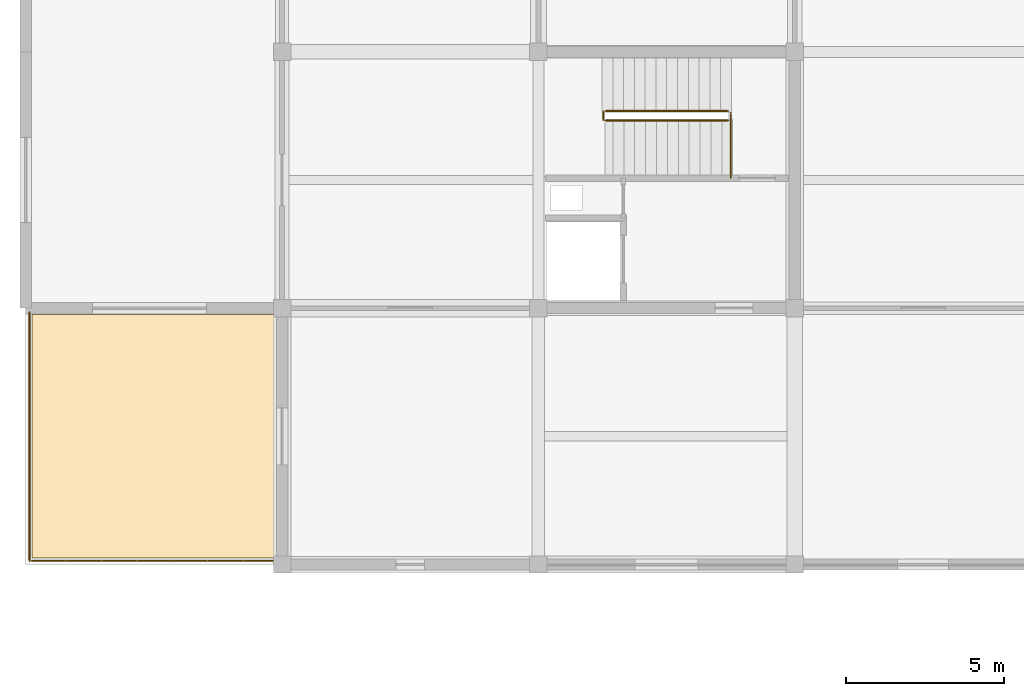
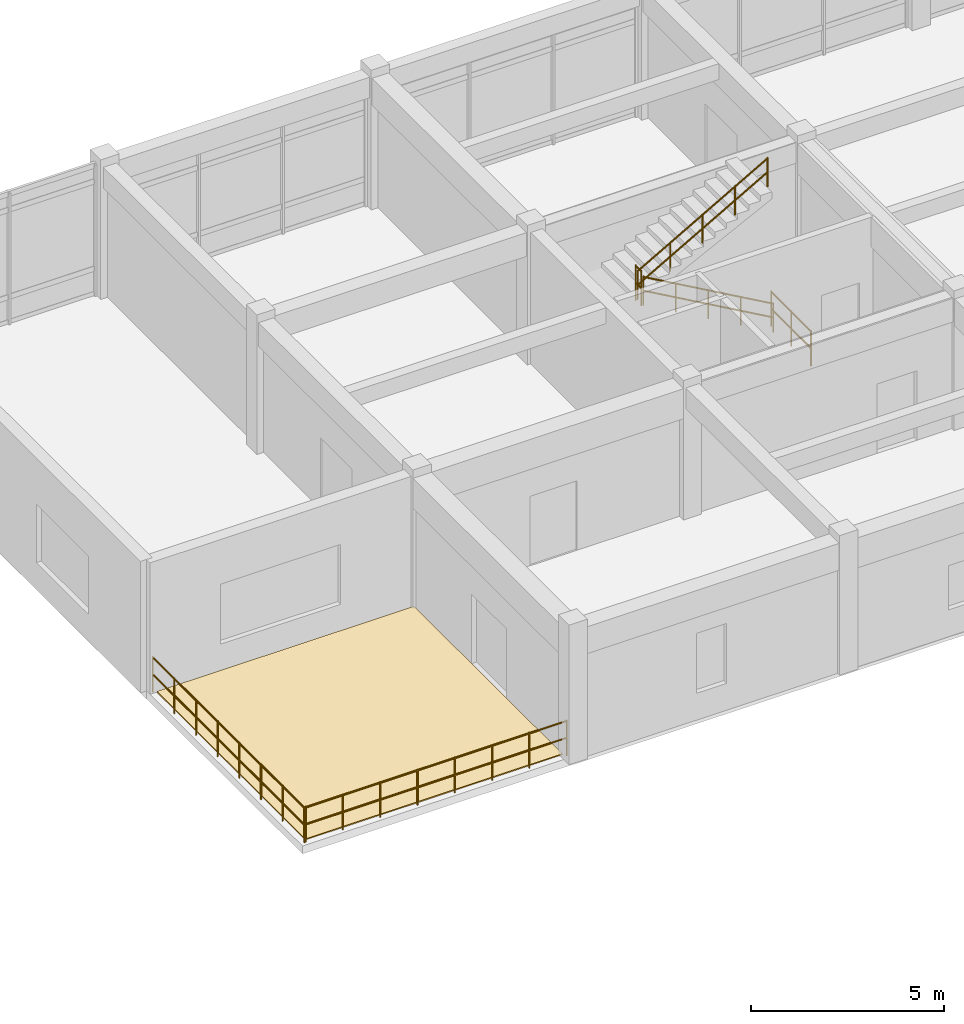
# One storey, part 38 of 42: 6 railings, 1 covering.
"""IFC4 building model written with IfcOpenShell, lengths in metres."""

from ifc_helpers import new_model, si_unit, direction, frame, origin, origin_2d, place, context, subcontext, project, spatial, polyline, circle, outline, extrude, material, layer, layer_set, type_object, element, save


model = new_model("IFC4")

# Units and contexts
model_context = context("Model", 3, precision=1e-05, world=origin(), true_north=direction((0.0, 1.0)))
body_context = subcontext(model_context, "Body", "Model", "MODEL_VIEW")
ifc_project = project(units=[si_unit("LENGTHUNIT", "METRE"), si_unit("AREAUNIT", "SQUARE_METRE"), si_unit("VOLUMEUNIT", "CUBIC_METRE"), si_unit("PLANEANGLEUNIT", "RADIAN"), si_unit("MASSUNIT", "GRAM", prefix="KILO")], contexts=[model_context])

# Site, building, storey
site_placement = place(None, origin())
site = spatial("IfcSite", under=ifc_project, at=site_placement, CompositionType="ELEMENT")
building_placement = place(site_placement, origin())
building = spatial("IfcBuilding", under=site, at=building_placement, Name="Vaudrelin Polytechnic", CompositionType="ELEMENT")
storey_placement = place(building_placement, frame((0.0, 0.0, 18.530029296875)))
storey = spatial("IfcBuildingStorey", under=building, at=storey_placement, Name="L04", CompositionType="ELEMENT", Elevation=18.530029296875)

# Railings
ifc_material_1 = material(Name="Stainless steel AISI 316L", Category="steel")
railing_type_1 = type_object("IfcRailingType", Name="ENV-GR-TER", PredefinedType="GUARDRAIL", material=ifc_material_1)
railing_1_placement = place(storey_placement, frame((0.1201171875, 97.320068359375, 0.0)))
element("IfcRailing", 1, at=railing_1_placement, inside=storey, type_object=railing_type_1, Name="Terrace guardrail GRD-T4-W", PredefinedType="GUARDRAIL", context=body_context, shape_type="SweptSolid", body=[
    extrude(circle(Radius=0.02392578125, at=origin_2d()), frame((0.0, 0.023193359375, 1.09619140625), z_axis=(0.0, 1.0, 0.0), x_axis=(-1.0, 0.0, 0.0)), (0.0, 0.0, 1.0), 7.813720703125),
    extrude(circle(Radius=0.02392578125, at=origin_2d()), frame((0.0, 0.023193359375, 0.56005859375), z_axis=(0.0, 1.0, 0.0), x_axis=(-1.0, 0.0, 0.0)), (0.0, 0.0, 1.0), 7.813720703125),
    extrude(circle(Radius=0.02099609375, at=origin_2d()), origin(), (0.0, 0.0, 1.0), 1.1201171875),
    extrude(circle(Radius=0.02099609375, at=origin_2d()), frame((0.0, 1.122802734375, 0.0)), (0.0, 0.0, 1.0), 1.1201171875),
    extrude(circle(Radius=0.02099609375, at=origin_2d()), frame((0.0, 2.24560546875, 0.0)), (0.0, 0.0, 1.0), 1.1201171875),
    extrude(circle(Radius=0.02099609375, at=origin_2d()), frame((0.0, 3.368408203125, 0.0)), (0.0, 0.0, 1.0), 1.1201171875),
    extrude(circle(Radius=0.02099609375, at=origin_2d()), frame((0.0, 4.491455078125, 0.0)), (0.0, 0.0, 1.0), 1.1201171875),
    extrude(circle(Radius=0.02099609375, at=origin_2d()), frame((0.0, 5.6142578125, 0.0)), (0.0, 0.0, 1.0), 1.1201171875),
    extrude(circle(Radius=0.02099609375, at=origin_2d()), frame((0.0, 6.737060546875, 0.0)), (0.0, 0.0, 1.0), 1.1201171875),
    extrude(circle(Radius=0.02099609375, at=origin_2d()), frame((0.0, 7.85986328125, 0.0)), (0.0, 0.0, 1.0), 1.1201171875),
])
railing_2_placement = place(storey_placement, frame((0.159912109375, 97.320068359375, 0.0)))
element("IfcRailing", 2, at=railing_2_placement, inside=storey, type_object=railing_type_1, Name="Terrace guardrail GRD-T4-S", PredefinedType="GUARDRAIL", context=body_context, shape_type="SweptSolid", body=[
    extrude(circle(Radius=0.02392578125, at=origin_2d()), frame((0.023193359375, 0.0, 1.09619140625), z_axis=(1.0, 0.0, 0.0), x_axis=(0.0, 1.0, 0.0)), (0.0, 0.0, 1.0), 7.77392578125),
    extrude(circle(Radius=0.02392578125, at=origin_2d()), frame((0.023193359375, 0.0, 0.56005859375), z_axis=(1.0, 0.0, 0.0), x_axis=(0.0, 1.0, 0.0)), (0.0, 0.0, 1.0), 7.77392578125),
    extrude(circle(Radius=0.02099609375, at=origin_2d()), origin(), (0.0, 0.0, 1.0), 1.1201171875),
    extrude(circle(Radius=0.02099609375, at=origin_2d()), frame((1.1171875, 0.0, 0.0)), (0.0, 0.0, 1.0), 1.1201171875),
    extrude(circle(Radius=0.02099609375, at=origin_2d()), frame((2.234375, 0.0, 0.0)), (0.0, 0.0, 1.0), 1.1201171875),
    extrude(circle(Radius=0.02099609375, at=origin_2d()), frame((3.3515625, 0.0, 0.0)), (0.0, 0.0, 1.0), 1.1201171875),
    extrude(circle(Radius=0.02099609375, at=origin_2d()), frame((4.468505859375, 0.0, 0.0)), (0.0, 0.0, 1.0), 1.1201171875),
    extrude(circle(Radius=0.02099609375, at=origin_2d()), frame((5.585693359375, 0.0, 0.0)), (0.0, 0.0, 1.0), 1.1201171875),
    extrude(circle(Radius=0.02099609375, at=origin_2d()), frame((6.702880859375, 0.0, 0.0)), (0.0, 0.0, 1.0), 1.1201171875),
    extrude(circle(Radius=0.02099609375, at=origin_2d()), frame((7.820068359375, 0.0, 0.0)), (0.0, 0.0, 1.0), 1.1201171875),
])

# Covering
ifc_material_2 = material(Name="SBS-modified bitumen snow-rated membrane", Category="membrane")
ifc_layer = layer(ifc_material_2, 0.034912109375)
ifc_layer_set = layer_set([ifc_layer], Name="SBS-modified bitumen snow-rated membrane")
covering_type = type_object("IfcCoveringType", Name="ENV-RFG-MEM", PredefinedType="ROOFING", material=ifc_layer_set)
covering_placement = place(storey_placement, origin())
element("IfcCovering", 3, at=covering_placement, inside=storey, type_object=covering_type, Name="Terrace SBS membrane zone RFG-05", PredefinedType="ROOFING", context=body_context, shape_type="SweptSolid", body=[
    extrude(outline(polyline([(0.199951171875, 97.39990234375), (7.89990234375, 97.39990234375), (7.89990234375, 105.10009765625), (0.199951171875, 105.10009765625), (0.199951171875, 97.39990234375)])), origin(), (0.0, 0.0, 1.0), 0.034912109375),
])

# Railings
ifc_material_3 = material(Name="Brushed stainless steel AISI 304", Category="steel")
railing_type_2 = type_object("IfcRailingType", Name="RAL-GR-INT", PredefinedType="GUARDRAIL", material=ifc_material_3)
railing_3_placement = place(storey_placement, frame((22.280029296875, 109.409912109375, 0.0)))
element("IfcRailing", 4, at=railing_3_placement, inside=storey, type_object=railing_type_2, Name="ST-01-L03 upper well guardrail", PredefinedType="GUARDRAIL", context=body_context, shape_type="SweptSolid", body=[
    extrude(circle(Radius=0.02392578125, at=origin_2d()), frame((0.0, 0.023193359375, 1.09619140625), z_axis=(0.0, 1.0, 0.0), x_axis=(-1.0, 0.0, 0.0)), (0.0, 0.0, 1.0), 2.02392578125),
    extrude(circle(Radius=0.02392578125, at=origin_2d()), frame((0.0, 0.023193359375, 0.56005859375), z_axis=(0.0, 1.0, 0.0), x_axis=(-1.0, 0.0, 0.0)), (0.0, 0.0, 1.0), 2.02392578125),
    extrude(circle(Radius=0.02099609375, at=origin_2d()), origin(), (0.0, 0.0, 1.0), 1.1201171875),
    extrude(circle(Radius=0.02099609375, at=origin_2d()), frame((0.0, 1.03515625, 0.0)), (0.0, 0.0, 1.0), 1.1201171875),
    extrude(circle(Radius=0.02099609375, at=origin_2d()), frame((0.0, 2.070068359375, 0.0)), (0.0, 0.0, 1.0), 1.1201171875),
])
railing_4_placement = place(storey_placement, frame((18.25, 111.239990234375, 2.2099609375)))
element("IfcRailing", 5, at=railing_4_placement, inside=storey, type_object=railing_type_2, Name="ST-01-L04 landing well guardrail", PredefinedType="GUARDRAIL", context=body_context, shape_type="SweptSolid", body=[
    extrude(circle(Radius=0.02392578125, at=origin_2d()), frame((0.0, 0.023193359375, 1.09619140625), z_axis=(0.0, 1.0, 0.0), x_axis=(-1.0, 0.0, 0.0)), (0.0, 0.0, 1.0), 0.23388671875),
    extrude(circle(Radius=0.02392578125, at=origin_2d()), frame((0.0, 0.023193359375, 0.56005859375), z_axis=(0.0, 1.0, 0.0), x_axis=(-1.0, 0.0, 0.0)), (0.0, 0.0, 1.0), 0.23388671875),
    extrude(circle(Radius=0.02099609375, at=origin_2d()), origin(), (0.0, 0.0, 1.0), 1.1201171875),
    extrude(circle(Radius=0.02099609375, at=origin_2d()), frame((0.0, 0.280029296875, 0.0)), (0.0, 0.0, 1.0), 1.1201171875),
])
railing_type_3 = type_object("IfcRailingType", Name="RAL-HR-STR", PredefinedType="HANDRAIL", material=ifc_material_3)
railing_5_placement = place(storey_placement, frame((22.199951171875, 111.22998046875, 0.0)))
element("IfcRailing", 6, at=railing_5_placement, inside=storey, type_object=railing_type_3, Name="ST-01-L04 flight 1 handrail", PredefinedType="HANDRAIL", context=body_context, shape_type="SweptSolid", body=[
    extrude(circle(Radius=0.02392578125, at=origin_2d()), frame((-0.02001953125, 0.0, 0.9072265625), z_axis=(-0.86947626696, 0.0, 0.493974717161), x_axis=(0.0, -1.0, 0.0)), (0.0, 0.0, 1.0), 4.427734375),
    extrude(circle(Radius=0.02392578125, at=origin_2d()), frame((-0.02001953125, 0.0, 0.471435546875), z_axis=(-0.86947626696, 0.0, 0.493974717161), x_axis=(0.0, -1.0, 0.0)), (0.0, 0.0, 1.0), 4.427734375),
    extrude(circle(Radius=0.02099609375, at=origin_2d()), origin(), (0.0, 0.0, 1.0), 0.919921875),
    extrude(circle(Radius=0.02099609375, at=origin_2d()), frame((-0.972412109375, 0.0, 0.552490234375)), (0.0, 0.0, 1.0), 0.919921875),
    extrude(circle(Radius=0.02099609375, at=origin_2d()), frame((-1.94482421875, 0.0, 1.10498046875)), (0.0, 0.0, 1.0), 0.919921875),
    extrude(circle(Radius=0.02099609375, at=origin_2d()), frame((-2.91748046875, 0.0, 1.657470703125)), (0.0, 0.0, 1.0), 0.919921875),
    extrude(circle(Radius=0.02099609375, at=origin_2d()), frame((-3.889892578125, 0.0, 2.2099609375)), (0.0, 0.0, 1.0), 0.919921875),
])
railing_6_placement = place(storey_placement, frame((18.31005859375, 111.530029296875, 2.2099609375)))
element("IfcRailing", 7, at=railing_6_placement, inside=storey, type_object=railing_type_3, Name="ST-01-L04 flight 2 handrail", PredefinedType="HANDRAIL", context=body_context, shape_type="SweptSolid", body=[
    extrude(circle(Radius=0.02392578125, at=origin_2d()), frame((0.02001953125, 0.0, 0.9072265625), z_axis=(0.86947626696, 0.0, 0.493974717161), x_axis=(0.0, 1.0, 0.0)), (0.0, 0.0, 1.0), 4.427734375),
    extrude(circle(Radius=0.02392578125, at=origin_2d()), frame((0.02001953125, 0.0, 0.471435546875), z_axis=(0.86947626696, 0.0, 0.493974717161), x_axis=(0.0, 1.0, 0.0)), (0.0, 0.0, 1.0), 4.427734375),
    extrude(circle(Radius=0.02099609375, at=origin_2d()), origin(), (0.0, 0.0, 1.0), 0.919921875),
    extrude(circle(Radius=0.02099609375, at=origin_2d()), frame((0.972412109375, 0.0, 0.552490234375)), (0.0, 0.0, 1.0), 0.919921875),
    extrude(circle(Radius=0.02099609375, at=origin_2d()), frame((1.94482421875, 0.0, 1.10498046875)), (0.0, 0.0, 1.0), 0.919921875),
    extrude(circle(Radius=0.02099609375, at=origin_2d()), frame((2.91748046875, 0.0, 1.657470703125)), (0.0, 0.0, 1.0), 0.919921875),
    extrude(circle(Radius=0.02099609375, at=origin_2d()), frame((3.889892578125, 0.0, 2.2099609375)), (0.0, 0.0, 1.0), 0.919921875),
])

save(model, "model.ifc")
